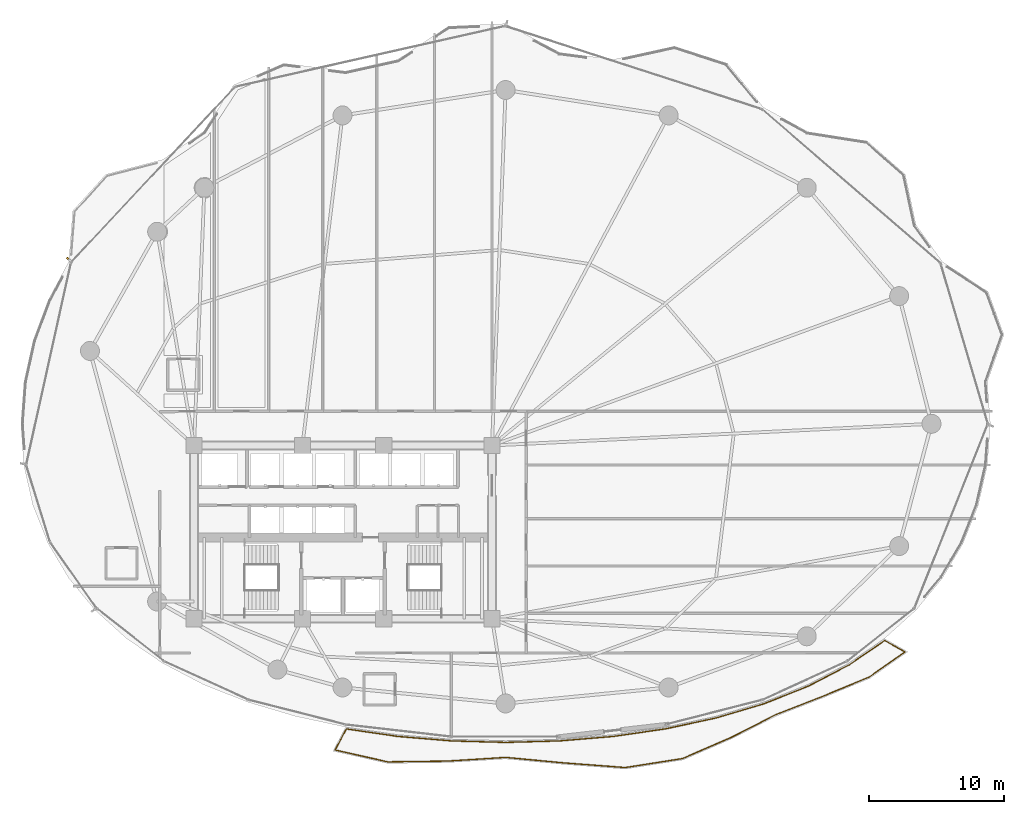
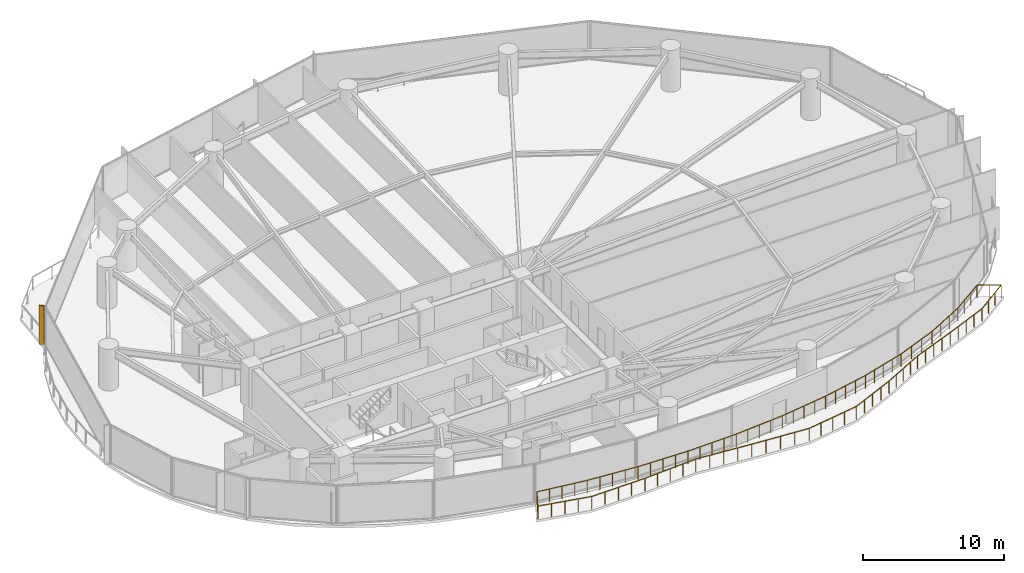
# One storey, part 31 of 33: 1 railing, 1 shading device.
"""IFC4 building model written with IfcOpenShell, lengths in metres."""

from ifc_helpers import new_model, si_unit, direction, frame, origin, origin_2d, place, context, subcontext, project, spatial, rectangle, extrude, material, type_object, element, save


model = new_model("IFC4")

# Units and contexts
model_context = context("Model", 3, precision=1e-05, world=origin(), true_north=direction((0.0, 1.0)))
body_context = subcontext(model_context, "Body", "Model", "MODEL_VIEW")
ifc_project = project(units=[si_unit("LENGTHUNIT", "METRE"), si_unit("AREAUNIT", "SQUARE_METRE"), si_unit("VOLUMEUNIT", "CUBIC_METRE"), si_unit("PLANEANGLEUNIT", "RADIAN"), si_unit("MASSUNIT", "GRAM", prefix="KILO")], contexts=[model_context])

# Site, building, storey
site_placement = place(None, origin())
site = spatial("IfcSite", under=ifc_project, at=site_placement, CompositionType="ELEMENT")
building_placement = place(site_placement, origin())
building = spatial("IfcBuilding", under=site, at=building_placement, Name="Kazevale Care Tower and Concert Hall", CompositionType="ELEMENT")
storey_placement = place(building_placement, frame((0.0, 0.0, 27.60009765625)))
storey = spatial("IfcBuildingStorey", under=building, at=storey_placement, Name="L06", CompositionType="ELEMENT", Elevation=27.60009765625)

# Railing
ifc_material_1 = material(Name="Anodised Bronze Aluminium and Laminated Glass", Category="aluminium")
railing_type = type_object("IfcRailingType", Name="Balcony and Terrace Balustrade 1120", PredefinedType="BALUSTRADE", material=ifc_material_1)
railing_placement = place(storey_placement, frame((33.239990234375, 15.469970703125, 0.0)))
element("IfcRailing", 1, at=railing_placement, inside=storey, type_object=railing_type, Name="rail:L06:balcony", PredefinedType="BALUSTRADE", context=body_context, shape_type="SweptSolid", body=[
    extrude(rectangle(XDim=0.048095703125, YDim=0.048095703125, at=origin_2d()), frame((0.0, 0.0, 1.09619140625), z_axis=(0.98954153526, -0.144248223541, 0.0), x_axis=(0.144248223541, 0.98954153526, 0.0)), (0.0, 0.0, 1.0), 3.820068359375),
    extrude(rectangle(XDim=0.048095703125, YDim=0.048095703125, at=origin_2d()), frame((3.780029296875, -0.551025390625, 1.09619140625), z_axis=(0.996491809711, -0.083690341016, 0.0), x_axis=(0.083690341016, 0.996491809711, 0.0)), (0.0, 0.0, 1.0), 3.97900390625),
    extrude(rectangle(XDim=0.048095703125, YDim=0.048095703125, at=origin_2d()), frame((7.7451171875, -0.884033203125, 1.09619140625), z_axis=(0.999619139625, -0.027596660954, 0.0), x_axis=(0.027596660954, 0.999619139625, 0.0)), (0.0, 0.0, 1.0), 4.016357421875),
    extrude(rectangle(XDim=0.048095703125, YDim=0.048095703125, at=origin_2d()), frame((11.760009765625, -0.994873046875, 1.09619140625), z_axis=(0.999619139625, 0.027596660954, 0.0), x_axis=(-0.027596660954, 0.999619139625, 0.0)), (0.0, 0.0, 1.0), 4.016357421875),
    extrude(rectangle(XDim=0.048095703125, YDim=0.048095703125, at=origin_2d()), frame((15.77490234375, -0.884033203125, 1.09619140625), z_axis=(0.996491809711, 0.083690341016, 0.0), x_axis=(-0.083690341016, 0.996491809711, 0.0)), (0.0, 0.0, 1.0), 3.97900390625),
    extrude(rectangle(XDim=0.048095703125, YDim=0.048095703125, at=origin_2d()), frame((19.739990234375, -0.551025390625, 1.09619140625), z_axis=(0.989562148583, 0.144106745477, 0.0), x_axis=(-0.144106745477, 0.989562148583, 0.0)), (0.0, 0.0, 1.0), 3.90673828125),
    extrude(rectangle(XDim=0.048095703125, YDim=0.048095703125, at=origin_2d()), frame((23.60595703125, 0.011962890625, 1.09619140625), z_axis=(0.977622623243, 0.210366362622, 0.0), x_axis=(-0.210366362622, 0.977622623243, 0.0)), (0.0, 0.0, 1.0), 3.80322265625),
    extrude(rectangle(XDim=0.048095703125, YDim=0.048095703125, at=origin_2d()), frame((27.323974609375, 0.81201171875, 1.09619140625), z_axis=(0.958576059845, 0.28483668565, 0.0), x_axis=(-0.28483668565, 0.958576059845, 0.0)), (0.0, 0.0, 1.0), 3.67626953125),
    extrude(rectangle(XDim=0.048095703125, YDim=0.048095703125, at=origin_2d()), frame((30.847900390625, 1.859130859375, 1.09619140625), z_axis=(0.929364745906, 0.369162794803, 0.0), x_axis=(-0.369162794803, 0.929364745906, 0.0)), (0.0, 0.0, 1.0), 3.534912109375),
    extrude(rectangle(XDim=0.048095703125, YDim=0.048095703125, at=origin_2d()), frame((34.133056640625, 3.1640625, 1.09619140625), z_axis=(0.886249621896, 0.463207952965, 0.0), x_axis=(-0.463207952965, 0.886249621896, 0.0)), (0.0, 0.0, 1.0), 3.3916015625),
    extrude(rectangle(XDim=0.048095703125, YDim=0.048095703125, at=origin_2d()), frame((37.138916015625, 4.735107421875, 1.09619140625), z_axis=(0.825224295989, 0.564805153402, 0.0), x_axis=(-0.564805153402, 0.825224295989, 0.0)), (0.0, 0.0, 1.0), 3.17626953125),
    extrude(rectangle(XDim=0.048095703125, YDim=0.048095703125, at=origin_2d()), frame((39.760009765625, 6.529052734375, 1.09619140625), z_axis=(0.870244176212, -0.492620618498, 0.0), x_axis=(0.492620618498, 0.870244176212, 0.0)), (0.0, 0.0, 1.0), 1.71337890625),
    extrude(rectangle(XDim=0.048095703125, YDim=0.048095703125, at=origin_2d()), frame((41.2509765625, 5.68505859375, 1.09619140625), z_axis=(-0.818630379614, -0.574320730579, 0.0), x_axis=(0.574320730579, -0.818630379614, 0.0)), (0.0, 0.0, 1.0), 3.224853515625),
    extrude(rectangle(XDim=0.048095703125, YDim=0.048095703125, at=origin_2d()), frame((38.611083984375, 3.8330078125, 1.09619140625), z_axis=(-0.923484195548, -0.383636469295, 0.0), x_axis=(0.383636469295, -0.923484195548, 0.0)), (0.0, 0.0, 1.0), 3.7197265625),
    extrude(rectangle(XDim=0.048095703125, YDim=0.048095703125, at=origin_2d()), frame((35.176025390625, 2.406005859375, 1.09619140625), z_axis=(-0.931446214817, -0.363879030591, 0.0), x_axis=(0.363879030591, -0.931446214817, 0.0)), (0.0, 0.0, 1.0), 3.715576171875),
    extrude(rectangle(XDim=0.048095703125, YDim=0.048095703125, at=origin_2d()), frame((31.715087890625, 1.053955078125, 1.09619140625), z_axis=(-0.891046076552, -0.453912865495, 0.0), x_axis=(0.453912865495, -0.891046076552, 0.0)), (0.0, 0.0, 1.0), 3.68115234375),
    extrude(rectangle(XDim=0.048095703125, YDim=0.048095703125, at=origin_2d()), frame((28.43505859375, -0.616943359375, 1.09619140625), z_axis=(-0.916855361127, -0.399219547082, 0.0), x_axis=(0.399219547082, -0.916855361127, 0.0)), (0.0, 0.0, 1.0), 3.925537109375),
    extrude(rectangle(XDim=0.048095703125, YDim=0.048095703125, at=origin_2d()), frame((24.8359375, -2.18408203125, 1.09619140625), z_axis=(-0.987765738022, -0.155945012073, 0.0), x_axis=(0.155945012073, -0.987765738022, 0.0)), (0.0, 0.0, 1.0), 4.283447265625),
    extrude(rectangle(XDim=0.048095703125, YDim=0.048095703125, at=origin_2d()), frame((20.60498046875, -2.85205078125, 1.09619140625), z_axis=(-0.997146264085, 0.075493893937, 0.0), x_axis=(-0.075493893937, -0.997146264085, 0.0)), (0.0, 0.0, 1.0), 4.517822265625),
    extrude(rectangle(XDim=0.048095703125, YDim=0.048095703125, at=origin_2d()), frame((16.10009765625, -2.510986328125, 1.09619140625), z_axis=(-0.995607335755, 0.093627095393, 0.0), x_axis=(-0.093627095393, -0.995607335755, 0.0)), (0.0, 0.0, 1.0), 4.357177734375),
    extrude(rectangle(XDim=0.048095703125, YDim=0.048095703125, at=origin_2d()), frame((11.761962890625, -2.10302734375, 1.09619140625), z_axis=(-0.998017692243, -0.062933981046, 0.0), x_axis=(0.062933981046, -0.998017692243, 0.0)), (0.0, 0.0, 1.0), 4.321533203125),
    extrude(rectangle(XDim=0.048095703125, YDim=0.048095703125, at=origin_2d()), frame((7.448974609375, -2.375, 1.09619140625), z_axis=(-0.999912788981, -0.013206605606, 0.0), x_axis=(0.013206605606, -0.999912788981, 0.0)), (0.0, 0.0, 1.0), 4.38134765625),
    extrude(rectangle(XDim=0.048095703125, YDim=0.048095703125, at=origin_2d()), frame((3.068115234375, -2.432861328125, 1.09619140625), z_axis=(-0.975624833425, 0.21944517403, 0.0), x_axis=(-0.21944517403, -0.975624833425, 0.0)), (0.0, 0.0, 1.0), 3.9873046875),
    extrude(rectangle(XDim=0.048095703125, YDim=0.048095703125, at=origin_2d()), frame((-0.822021484375, -1.557861328125, 1.09619140625), z_axis=(0.466677312572, 0.884427660089, 0.0), x_axis=(-0.884427660089, 0.466677312572, 0.0)), (0.0, 0.0, 1.0), 1.761474609375),
    extrude(rectangle(XDim=0.0419921875, YDim=0.0419921875, at=origin_2d()), origin(), (0.0, 0.0, 1.0), 1.072021484375),
    extrude(rectangle(XDim=0.0419921875, YDim=0.0419921875, at=origin_2d()), frame((0.945068359375, -0.1376953125, 0.0)), (0.0, 0.0, 1.0), 1.072021484375),
    extrude(rectangle(XDim=0.0419921875, YDim=0.0419921875, at=origin_2d()), frame((1.89013671875, -0.275390625, 0.0)), (0.0, 0.0, 1.0), 1.072021484375),
    extrude(rectangle(XDim=0.0419921875, YDim=0.0419921875, at=origin_2d()), frame((2.8349609375, -0.413330078125, 0.0)), (0.0, 0.0, 1.0), 1.072021484375),
    extrude(rectangle(XDim=0.0419921875, YDim=0.0419921875, at=origin_2d()), frame((3.780029296875, -0.551025390625, 0.0)), (0.0, 0.0, 1.0), 1.072021484375),
    extrude(rectangle(XDim=0.0419921875, YDim=0.0419921875, at=origin_2d()), frame((4.771240234375, -0.63427734375, 0.0)), (0.0, 0.0, 1.0), 1.072021484375),
    extrude(rectangle(XDim=0.0419921875, YDim=0.0419921875, at=origin_2d()), frame((5.7626953125, -0.717529296875, 0.0)), (0.0, 0.0, 1.0), 1.072021484375),
    extrude(rectangle(XDim=0.0419921875, YDim=0.0419921875, at=origin_2d()), frame((6.75390625, -0.80078125, 0.0)), (0.0, 0.0, 1.0), 1.072021484375),
    extrude(rectangle(XDim=0.0419921875, YDim=0.0419921875, at=origin_2d()), frame((7.7451171875, -0.884033203125, 0.0)), (0.0, 0.0, 1.0), 1.072021484375),
    extrude(rectangle(XDim=0.0419921875, YDim=0.0419921875, at=origin_2d()), frame((8.748779296875, -0.91162109375, 0.0)), (0.0, 0.0, 1.0), 1.072021484375),
    extrude(rectangle(XDim=0.0419921875, YDim=0.0419921875, at=origin_2d()), frame((9.75244140625, -0.939453125, 0.0)), (0.0, 0.0, 1.0), 1.072021484375),
    extrude(rectangle(XDim=0.0419921875, YDim=0.0419921875, at=origin_2d()), frame((10.75634765625, -0.96728515625, 0.0)), (0.0, 0.0, 1.0), 1.072021484375),
    extrude(rectangle(XDim=0.0419921875, YDim=0.0419921875, at=origin_2d()), frame((11.760009765625, -0.994873046875, 0.0)), (0.0, 0.0, 1.0), 1.072021484375),
    extrude(rectangle(XDim=0.0419921875, YDim=0.0419921875, at=origin_2d()), frame((12.763671875, -0.96728515625, 0.0)), (0.0, 0.0, 1.0), 1.072021484375),
    extrude(rectangle(XDim=0.0419921875, YDim=0.0419921875, at=origin_2d()), frame((13.767578125, -0.939453125, 0.0)), (0.0, 0.0, 1.0), 1.072021484375),
    extrude(rectangle(XDim=0.0419921875, YDim=0.0419921875, at=origin_2d()), frame((14.771240234375, -0.91162109375, 0.0)), (0.0, 0.0, 1.0), 1.072021484375),
    extrude(rectangle(XDim=0.0419921875, YDim=0.0419921875, at=origin_2d()), frame((15.77490234375, -0.884033203125, 0.0)), (0.0, 0.0, 1.0), 1.072021484375),
    extrude(rectangle(XDim=0.0419921875, YDim=0.0419921875, at=origin_2d()), frame((16.76611328125, -0.80078125, 0.0)), (0.0, 0.0, 1.0), 1.072021484375),
    extrude(rectangle(XDim=0.0419921875, YDim=0.0419921875, at=origin_2d()), frame((17.75732421875, -0.717529296875, 0.0)), (0.0, 0.0, 1.0), 1.072021484375),
    extrude(rectangle(XDim=0.0419921875, YDim=0.0419921875, at=origin_2d()), frame((18.748779296875, -0.63427734375, 0.0)), (0.0, 0.0, 1.0), 1.072021484375),
    extrude(rectangle(XDim=0.0419921875, YDim=0.0419921875, at=origin_2d()), frame((19.739990234375, -0.551025390625, 0.0)), (0.0, 0.0, 1.0), 1.072021484375),
    extrude(rectangle(XDim=0.0419921875, YDim=0.0419921875, at=origin_2d()), frame((20.70654296875, -0.41015625, 0.0)), (0.0, 0.0, 1.0), 1.072021484375),
    extrude(rectangle(XDim=0.0419921875, YDim=0.0419921875, at=origin_2d()), frame((21.6728515625, -0.26953125, 0.0)), (0.0, 0.0, 1.0), 1.072021484375),
    extrude(rectangle(XDim=0.0419921875, YDim=0.0419921875, at=origin_2d()), frame((22.639404296875, -0.12890625, 0.0)), (0.0, 0.0, 1.0), 1.072021484375),
    extrude(rectangle(XDim=0.0419921875, YDim=0.0419921875, at=origin_2d()), frame((23.60595703125, 0.011962890625, 0.0)), (0.0, 0.0, 1.0), 1.072021484375),
    extrude(rectangle(XDim=0.0419921875, YDim=0.0419921875, at=origin_2d()), frame((24.535400390625, 0.2119140625, 0.0)), (0.0, 0.0, 1.0), 1.072021484375),
    extrude(rectangle(XDim=0.0419921875, YDim=0.0419921875, at=origin_2d()), frame((25.46484375, 0.412109375, 0.0)), (0.0, 0.0, 1.0), 1.072021484375),
    extrude(rectangle(XDim=0.0419921875, YDim=0.0419921875, at=origin_2d()), frame((26.39453125, 0.612060546875, 0.0)), (0.0, 0.0, 1.0), 1.072021484375),
    extrude(rectangle(XDim=0.0419921875, YDim=0.0419921875, at=origin_2d()), frame((27.323974609375, 0.81201171875, 0.0)), (0.0, 0.0, 1.0), 1.072021484375),
    extrude(rectangle(XDim=0.0419921875, YDim=0.0419921875, at=origin_2d()), frame((28.205078125, 1.07373046875, 0.0)), (0.0, 0.0, 1.0), 1.072021484375),
    extrude(rectangle(XDim=0.0419921875, YDim=0.0419921875, at=origin_2d()), frame((29.0859375, 1.33544921875, 0.0)), (0.0, 0.0, 1.0), 1.072021484375),
    extrude(rectangle(XDim=0.0419921875, YDim=0.0419921875, at=origin_2d()), frame((29.966796875, 1.597412109375, 0.0)), (0.0, 0.0, 1.0), 1.072021484375),
    extrude(rectangle(XDim=0.0419921875, YDim=0.0419921875, at=origin_2d()), frame((30.847900390625, 1.859130859375, 0.0)), (0.0, 0.0, 1.0), 1.072021484375),
    extrude(rectangle(XDim=0.0419921875, YDim=0.0419921875, at=origin_2d()), frame((31.94287109375, 2.294189453125, 0.0)), (0.0, 0.0, 1.0), 1.072021484375),
    extrude(rectangle(XDim=0.0419921875, YDim=0.0419921875, at=origin_2d()), frame((33.0380859375, 2.72900390625, 0.0)), (0.0, 0.0, 1.0), 1.072021484375),
    extrude(rectangle(XDim=0.0419921875, YDim=0.0419921875, at=origin_2d()), frame((34.133056640625, 3.1640625, 0.0)), (0.0, 0.0, 1.0), 1.072021484375),
    extrude(rectangle(XDim=0.0419921875, YDim=0.0419921875, at=origin_2d()), frame((35.135009765625, 3.687744140625, 0.0)), (0.0, 0.0, 1.0), 1.072021484375),
    extrude(rectangle(XDim=0.0419921875, YDim=0.0419921875, at=origin_2d()), frame((36.136962890625, 4.21142578125, 0.0)), (0.0, 0.0, 1.0), 1.072021484375),
    extrude(rectangle(XDim=0.0419921875, YDim=0.0419921875, at=origin_2d()), frame((37.138916015625, 4.735107421875, 0.0)), (0.0, 0.0, 1.0), 1.072021484375),
    extrude(rectangle(XDim=0.0419921875, YDim=0.0419921875, at=origin_2d()), frame((38.0126953125, 5.3330078125, 0.0)), (0.0, 0.0, 1.0), 1.072021484375),
    extrude(rectangle(XDim=0.0419921875, YDim=0.0419921875, at=origin_2d()), frame((38.88623046875, 5.93115234375, 0.0)), (0.0, 0.0, 1.0), 1.072021484375),
    extrude(rectangle(XDim=0.0419921875, YDim=0.0419921875, at=origin_2d()), frame((39.760009765625, 6.529052734375, 0.0)), (0.0, 0.0, 1.0), 1.072021484375),
    extrude(rectangle(XDim=0.0419921875, YDim=0.0419921875, at=origin_2d()), frame((40.50537109375, 6.10693359375, 0.0)), (0.0, 0.0, 1.0), 1.072021484375),
    extrude(rectangle(XDim=0.0419921875, YDim=0.0419921875, at=origin_2d()), frame((41.2509765625, 5.68505859375, 0.0)), (0.0, 0.0, 1.0), 1.072021484375),
    extrude(rectangle(XDim=0.0419921875, YDim=0.0419921875, at=origin_2d()), frame((40.37109375, 5.067626953125, 0.0)), (0.0, 0.0, 1.0), 1.072021484375),
    extrude(rectangle(XDim=0.0419921875, YDim=0.0419921875, at=origin_2d()), frame((39.490966796875, 4.450439453125, 0.0)), (0.0, 0.0, 1.0), 1.072021484375),
    extrude(rectangle(XDim=0.0419921875, YDim=0.0419921875, at=origin_2d()), frame((38.611083984375, 3.8330078125, 0.0)), (0.0, 0.0, 1.0), 1.072021484375),
    extrude(rectangle(XDim=0.0419921875, YDim=0.0419921875, at=origin_2d()), frame((37.75244140625, 3.476318359375, 0.0)), (0.0, 0.0, 1.0), 1.072021484375),
    extrude(rectangle(XDim=0.0419921875, YDim=0.0419921875, at=origin_2d()), frame((36.8935546875, 3.11962890625, 0.0)), (0.0, 0.0, 1.0), 1.072021484375),
    extrude(rectangle(XDim=0.0419921875, YDim=0.0419921875, at=origin_2d()), frame((36.03466796875, 2.7626953125, 0.0)), (0.0, 0.0, 1.0), 1.072021484375),
    extrude(rectangle(XDim=0.0419921875, YDim=0.0419921875, at=origin_2d()), frame((35.176025390625, 2.406005859375, 0.0)), (0.0, 0.0, 1.0), 1.072021484375),
    extrude(rectangle(XDim=0.0419921875, YDim=0.0419921875, at=origin_2d()), frame((34.310791015625, 2.06787109375, 0.0)), (0.0, 0.0, 1.0), 1.072021484375),
    extrude(rectangle(XDim=0.0419921875, YDim=0.0419921875, at=origin_2d()), frame((33.445556640625, 1.72998046875, 0.0)), (0.0, 0.0, 1.0), 1.072021484375),
    extrude(rectangle(XDim=0.0419921875, YDim=0.0419921875, at=origin_2d()), frame((32.580322265625, 1.39208984375, 0.0)), (0.0, 0.0, 1.0), 1.072021484375),
    extrude(rectangle(XDim=0.0419921875, YDim=0.0419921875, at=origin_2d()), frame((31.715087890625, 1.053955078125, 0.0)), (0.0, 0.0, 1.0), 1.072021484375),
    extrude(rectangle(XDim=0.0419921875, YDim=0.0419921875, at=origin_2d()), frame((30.89501953125, 0.63623046875, 0.0)), (0.0, 0.0, 1.0), 1.072021484375),
    extrude(rectangle(XDim=0.0419921875, YDim=0.0419921875, at=origin_2d()), frame((30.0751953125, 0.218505859375, 0.0)), (0.0, 0.0, 1.0), 1.072021484375),
    extrude(rectangle(XDim=0.0419921875, YDim=0.0419921875, at=origin_2d()), frame((29.255126953125, -0.19921875, 0.0)), (0.0, 0.0, 1.0), 1.072021484375),
    extrude(rectangle(XDim=0.0419921875, YDim=0.0419921875, at=origin_2d()), frame((28.43505859375, -0.616943359375, 0.0)), (0.0, 0.0, 1.0), 1.072021484375),
    extrude(rectangle(XDim=0.0419921875, YDim=0.0419921875, at=origin_2d()), frame((27.53515625, -1.0087890625, 0.0)), (0.0, 0.0, 1.0), 1.072021484375),
    extrude(rectangle(XDim=0.0419921875, YDim=0.0419921875, at=origin_2d()), frame((26.635498046875, -1.400390625, 0.0)), (0.0, 0.0, 1.0), 1.072021484375),
    extrude(rectangle(XDim=0.0419921875, YDim=0.0419921875, at=origin_2d()), frame((25.73583984375, -1.792236328125, 0.0)), (0.0, 0.0, 1.0), 1.072021484375),
    extrude(rectangle(XDim=0.0419921875, YDim=0.0419921875, at=origin_2d()), frame((24.8359375, -2.18408203125, 0.0)), (0.0, 0.0, 1.0), 1.072021484375),
    extrude(rectangle(XDim=0.0419921875, YDim=0.0419921875, at=origin_2d()), frame((23.7783203125, -2.35107421875, 0.0)), (0.0, 0.0, 1.0), 1.072021484375),
    extrude(rectangle(XDim=0.0419921875, YDim=0.0419921875, at=origin_2d()), frame((22.720458984375, -2.51806640625, 0.0)), (0.0, 0.0, 1.0), 1.072021484375),
    extrude(rectangle(XDim=0.0419921875, YDim=0.0419921875, at=origin_2d()), frame((21.66259765625, -2.68505859375, 0.0)), (0.0, 0.0, 1.0), 1.072021484375),
    extrude(rectangle(XDim=0.0419921875, YDim=0.0419921875, at=origin_2d()), frame((20.60498046875, -2.85205078125, 0.0)), (0.0, 0.0, 1.0), 1.072021484375),
    extrude(rectangle(XDim=0.0419921875, YDim=0.0419921875, at=origin_2d()), frame((19.478759765625, -2.766845703125, 0.0)), (0.0, 0.0, 1.0), 1.072021484375),
    extrude(rectangle(XDim=0.0419921875, YDim=0.0419921875, at=origin_2d()), frame((18.3525390625, -2.681640625, 0.0)), (0.0, 0.0, 1.0), 1.072021484375),
    extrude(rectangle(XDim=0.0419921875, YDim=0.0419921875, at=origin_2d()), frame((17.226318359375, -2.59619140625, 0.0)), (0.0, 0.0, 1.0), 1.072021484375),
    extrude(rectangle(XDim=0.0419921875, YDim=0.0419921875, at=origin_2d()), frame((16.10009765625, -2.510986328125, 0.0)), (0.0, 0.0, 1.0), 1.072021484375),
    extrude(rectangle(XDim=0.0419921875, YDim=0.0419921875, at=origin_2d()), frame((15.015625, -2.408935546875, 0.0)), (0.0, 0.0, 1.0), 1.072021484375),
    extrude(rectangle(XDim=0.0419921875, YDim=0.0419921875, at=origin_2d()), frame((13.93115234375, -2.30712890625, 0.0)), (0.0, 0.0, 1.0), 1.072021484375),
    extrude(rectangle(XDim=0.0419921875, YDim=0.0419921875, at=origin_2d()), frame((12.846435546875, -2.205078125, 0.0)), (0.0, 0.0, 1.0), 1.072021484375),
    extrude(rectangle(XDim=0.0419921875, YDim=0.0419921875, at=origin_2d()), frame((11.761962890625, -2.10302734375, 0.0)), (0.0, 0.0, 1.0), 1.072021484375),
    extrude(rectangle(XDim=0.0419921875, YDim=0.0419921875, at=origin_2d()), frame((10.68359375, -2.1708984375, 0.0)), (0.0, 0.0, 1.0), 1.072021484375),
    extrude(rectangle(XDim=0.0419921875, YDim=0.0419921875, at=origin_2d()), frame((9.60546875, -2.239013671875, 0.0)), (0.0, 0.0, 1.0), 1.072021484375),
    extrude(rectangle(XDim=0.0419921875, YDim=0.0419921875, at=origin_2d()), frame((8.52734375, -2.30712890625, 0.0)), (0.0, 0.0, 1.0), 1.072021484375),
    extrude(rectangle(XDim=0.0419921875, YDim=0.0419921875, at=origin_2d()), frame((7.448974609375, -2.375, 0.0)), (0.0, 0.0, 1.0), 1.072021484375),
    extrude(rectangle(XDim=0.0419921875, YDim=0.0419921875, at=origin_2d()), frame((6.353759765625, -2.389404296875, 0.0)), (0.0, 0.0, 1.0), 1.072021484375),
    extrude(rectangle(XDim=0.0419921875, YDim=0.0419921875, at=origin_2d()), frame((5.258544921875, -2.40380859375, 0.0)), (0.0, 0.0, 1.0), 1.072021484375),
    extrude(rectangle(XDim=0.0419921875, YDim=0.0419921875, at=origin_2d()), frame((4.163330078125, -2.41845703125, 0.0)), (0.0, 0.0, 1.0), 1.072021484375),
    extrude(rectangle(XDim=0.0419921875, YDim=0.0419921875, at=origin_2d()), frame((3.068115234375, -2.432861328125, 0.0)), (0.0, 0.0, 1.0), 1.072021484375),
    extrude(rectangle(XDim=0.0419921875, YDim=0.0419921875, at=origin_2d()), frame((2.095703125, -2.214111328125, 0.0)), (0.0, 0.0, 1.0), 1.072021484375),
    extrude(rectangle(XDim=0.0419921875, YDim=0.0419921875, at=origin_2d()), frame((1.123046875, -1.995361328125, 0.0)), (0.0, 0.0, 1.0), 1.072021484375),
    extrude(rectangle(XDim=0.0419921875, YDim=0.0419921875, at=origin_2d()), frame((0.150390625, -1.776611328125, 0.0)), (0.0, 0.0, 1.0), 1.072021484375),
    extrude(rectangle(XDim=0.0419921875, YDim=0.0419921875, at=origin_2d()), frame((-0.822021484375, -1.557861328125, 0.0)), (0.0, 0.0, 1.0), 1.072021484375),
    extrude(rectangle(XDim=0.0419921875, YDim=0.0419921875, at=origin_2d()), frame((-0.4111328125, -0.77880859375, 0.0)), (0.0, 0.0, 1.0), 1.072021484375),
])

# Shading device
ifc_material_2 = material(Name="Honed Ochre Limestone", Category="masonry")
shading_device_type = type_object("IfcShadingDeviceType", Name="Vertical Honed Limestone Fin FIN-01", PredefinedType="USERDEFINED", material=ifc_material_2)
shading_device_placement = place(storey_placement, frame((12.747802734375, 50.140625, 0.0), z_axis=(0.0, 0.0, 1.0), x_axis=(-0.730400739673, 0.683018857343, 0.0)))
element("IfcShadingDevice", 2, at=shading_device_placement, inside=storey, type_object=shading_device_type, Name="cw:L06:f14:fin", ObjectType="FIN", PredefinedType="USERDEFINED", context=body_context, shape_type="SweptSolid", body=[
    extrude(rectangle(XDim=0.3798828125, YDim=0.1201171875, at=origin_2d()), origin(), (0.0, 0.0, 1.0), 3.360107421875),
])

save(model, "model.ifc")
